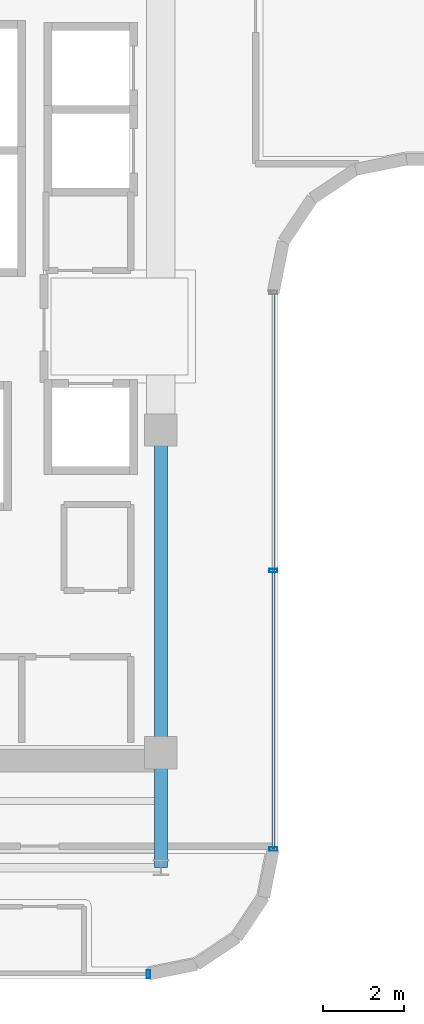
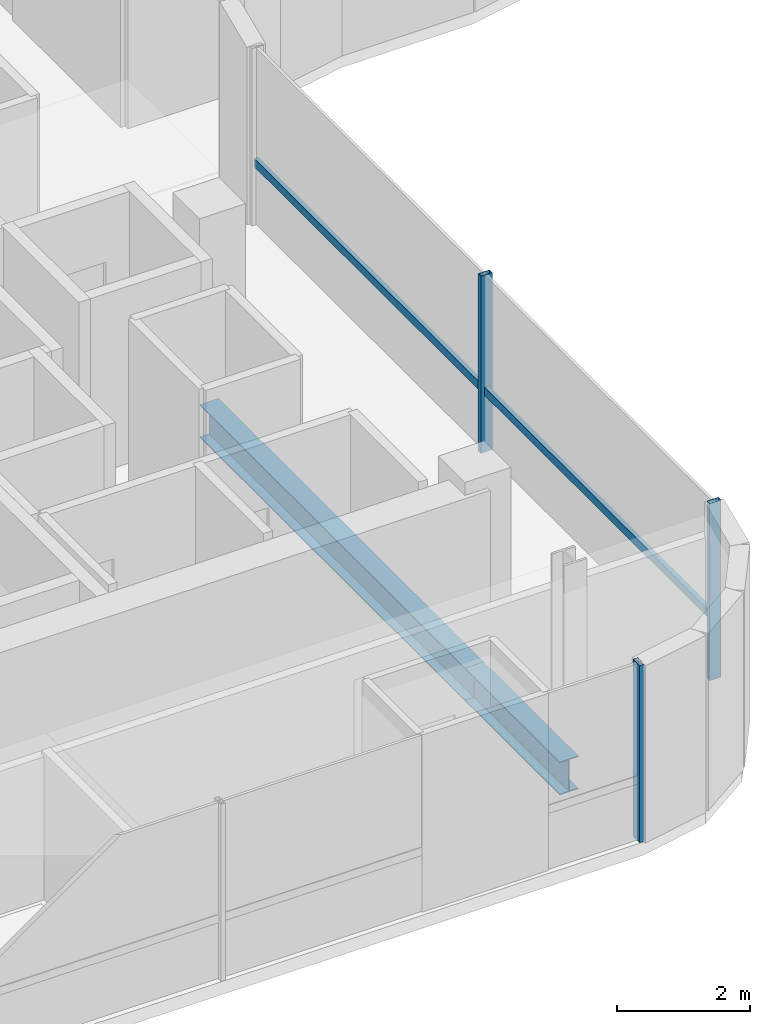
# One storey, part 6 of 21: 4 members, 2 beams, 2 elements without a shape of their own.
"""IFC4 building model written with IfcOpenShell, lengths in metres."""

import ifcopenshell
import ifcopenshell.guid

model = None  # the IFC model being written
_history = None  # IfcOwnerHistory: only IFC2X3 demands one
_inside = {}  # id of a spatial element -> (the spatial element, [elements in it])
_under = {}  # id of a project, library or spatial element -> (it, [spatial elements below it])
_declared = {}  # id of a project -> (the project, [libraries it declares])
_typed = {}  # id of a type object -> (the type object, [elements of that type])
_made_of = {}  # id of a material, layer set ... -> (it, [elements and type objects made of it])


def new_model(schema):
    """Start an empty IFC model of exactly this schema.

    Asked for "IFC4X3", IfcOpenShell would pick the latest addendum, in which some entities
    have other attributes; the version numbers below select the first issue.
    IFC2X3 requires an IfcOwnerHistory on every rooted entity: one is made here for all.
    """
    global model, _history
    if schema == "IFC4X3":
        model = ifcopenshell.file(schema_version=(4, 3, 0, 0))
    else:
        model = ifcopenshell.file(schema=schema)
    _inside.clear()
    _under.clear()
    _declared.clear()
    _typed.clear()
    _made_of.clear()
    _history = None
    if model.schema == "IFC2X3":
        org = make("IfcOrganization", Name="unknown")
        user = make(
            "IfcPersonAndOrganization",
            ThePerson=make("IfcPerson", FamilyName="unknown"),
            TheOrganization=org,
        )
        app = make(
            "IfcApplication",
            ApplicationDeveloper=org,
            Version="unknown",
            ApplicationFullName="unknown",
            ApplicationIdentifier="unknown",
        )
        _history = make(
            "IfcOwnerHistory",
            OwningUser=user,
            OwningApplication=app,
            ChangeAction="ADDED",
            CreationDate=0,
        )
    return model


def make(cls, **values):
    """One entity of the class cls with the attributes given. An attribute that is None is left unset."""
    return model.create_entity(
        cls, **{name: value for name, value in values.items() if value is not None}
    )


def rooted(cls, **values):
    """An entity with a GlobalId (a new one), such as an element, a storey or a relation."""
    return make(cls, GlobalId=ifcopenshell.guid.new(), OwnerHistory=_history, **values)


def si_unit(unit_type, name, prefix=None):
    """IfcSIUnit, for example si_unit("LENGTHUNIT", "METRE", prefix="MILLI")."""
    return make("IfcSIUnit", UnitType=unit_type, Prefix=prefix, Name=name)


def assignment(units):
    """IfcUnitAssignment: the units of a project."""
    return None if units is None else make("IfcUnitAssignment", Units=units)


def point(xyz):
    """IfcCartesianPoint."""
    return None if xyz is None else make("IfcCartesianPoint", Coordinates=xyz)


def direction(xyz):
    """IfcDirection."""
    return None if xyz is None else make("IfcDirection", DirectionRatios=xyz)


def frame(location, z_axis=None, x_axis=None):
    """IfcAxis2Placement3D, a coordinate frame: its origin and axes. An axis left out is left unset."""
    return make(
        "IfcAxis2Placement3D",
        Location=point(location),
        Axis=direction(z_axis),
        RefDirection=direction(x_axis),
    )


def frame_2d(location, x_axis=None):
    """IfcAxis2Placement2D, a coordinate frame in the plane: its origin and x axis."""
    return make(
        "IfcAxis2Placement2D", Location=point(location), RefDirection=direction(x_axis)
    )


def origin():
    """The frame at (0, 0, 0) with its axes left unset."""
    return frame((0.0, 0.0, 0.0))


def origin_2d():
    """The frame at (0, 0) in the plane with its x axis left unset."""
    return frame_2d((0.0, 0.0))


def place(relative_to, where):
    """IfcLocalPlacement: puts the frame where relative to a parent placement (None: the world)."""
    return make(
        "IfcLocalPlacement", PlacementRelTo=relative_to, RelativePlacement=where
    )


def context(
    kind, dimensions, precision=None, world=None, true_north=None, identifier=None
):
    """IfcGeometricRepresentationContext, for example the 3D "Model" context."""
    return make(
        "IfcGeometricRepresentationContext",
        ContextIdentifier=identifier,
        ContextType=kind,
        CoordinateSpaceDimension=dimensions,
        Precision=precision,
        WorldCoordinateSystem=world,
        TrueNorth=true_north,
    )


def subcontext(parent, identifier, kind, view, scale=None):
    """IfcGeometricRepresentationSubContext, for example "Body" below "Model"."""
    return make(
        "IfcGeometricRepresentationSubContext",
        ContextIdentifier=identifier,
        ContextType=kind,
        ParentContext=parent,
        TargetScale=scale,
        TargetView=view,
    )


def project(units=None, contexts=None):
    """IfcProject with its units and contexts."""
    return rooted(
        "IfcProject",
        Name="project",
        RepresentationContexts=contexts,
        UnitsInContext=assignment(units),
    )


def spatial(cls, under=None, at=None, **own):
    """A site, building, storey or space (cls), placed at a placement, below another one or the project."""
    s = rooted(cls, ObjectPlacement=at, **own)
    if under is not None:
        _under.setdefault(under.id(), (under, []))[1].append(s)
    return s


def profile(cls, at=None, kind="AREA", **sizes):
    """A parametric profile (cls). Its sizes go by their IFC names, for example OverallWidth=200.0."""
    return make(cls, ProfileType=kind, Position=at, **sizes)


def hollow_rectangle(**sizes):
    """IfcRectangleHollowProfileDef."""
    return profile("IfcRectangleHollowProfileDef", **sizes)


def i_section(**sizes):
    """IfcIShapeProfileDef."""
    return profile("IfcIShapeProfileDef", **sizes)


def extrude(swept, where, along, depth):
    """IfcExtrudedAreaSolid: the profile swept, set in the frame where, extruded along a direction by depth."""
    return make(
        "IfcExtrudedAreaSolid",
        SweptArea=swept,
        Position=where,
        ExtrudedDirection=direction(along),
        Depth=depth,
    )


def shape(context_of_items, identifier, shape_type, items):
    """IfcShapeRepresentation: the items that make up one representation, for example the "Body"."""
    return make(
        "IfcShapeRepresentation",
        ContextOfItems=context_of_items,
        RepresentationIdentifier=identifier,
        RepresentationType=shape_type,
        Items=items,
    )


def source(mapping_origin, context_of_items, identifier, shape_type, items):
    """IfcRepresentationMap: a shape defined once, which mapped items show again and again."""
    return make(
        "IfcRepresentationMap",
        MappingOrigin=mapping_origin,
        MappedRepresentation=shape(context_of_items, identifier, shape_type, items),
    )


def transform(
    local_origin,
    x_axis=None,
    y_axis=None,
    z_axis=None,
    scale=None,
    scale2=None,
    scale3=None,
    uniform=True,
):
    """IfcCartesianTransformationOperator3D, or its non-uniform kind. x_axis, y_axis, z_axis: its Axis1, 2, 3."""
    if uniform:
        return make(
            "IfcCartesianTransformationOperator3D",
            Axis1=direction(x_axis),
            Axis2=direction(y_axis),
            LocalOrigin=point(local_origin),
            Scale=scale,
            Axis3=direction(z_axis),
        )
    return make(
        "IfcCartesianTransformationOperator3DnonUniform",
        Axis1=direction(x_axis),
        Axis2=direction(y_axis),
        LocalOrigin=point(local_origin),
        Scale=scale,
        Axis3=direction(z_axis),
        Scale2=scale2,
        Scale3=scale3,
    )


def mapped(mapping_source, mapping_target):
    """IfcMappedItem: shows the shape of a source again, moved by a transform."""
    return make(
        "IfcMappedItem", MappingSource=mapping_source, MappingTarget=mapping_target
    )


def material(Name=None, Category=None):
    """IfcMaterial."""
    return make("IfcMaterial", Name=Name, Category=Category)


def material_profile(
    of_material, cross_section, Name=None, Category=None, Priority=None
):
    """IfcMaterialProfile: a cross section and its material."""
    return make(
        "IfcMaterialProfile",
        Name=Name,
        Material=of_material,
        Profile=cross_section,
        Priority=Priority,
        Category=Category,
    )


def profile_set(profiles, Name=None, composite=None):
    """IfcMaterialProfileSet."""
    return make(
        "IfcMaterialProfileSet",
        Name=Name,
        MaterialProfiles=profiles,
        CompositeProfile=composite,
    )


def made_of(thing, what):
    """Note that an element or type object is made of a material, layer set ...; save() writes the relation."""
    if what is not None:
        _made_of.setdefault(what.id(), (what, []))[1].append(thing)
    return thing


def type_object(cls, material=None, **own):
    """A type object (cls), such as IfcWallType, which elements share."""
    return made_of(rooted(cls, **own), material)


def element(
    cls,
    number,
    at=None,
    inside=None,
    cuts=None,
    type_object=None,
    material=None,
    context=None,
    identifier="Body",
    shape_type=None,
    held_by="IfcProductDefinitionShape",
    body=None,
    shapes=None,
    **own,
):
    """One element of the class cls, such as IfcWall. Its Tag is "e" and its number.

    at: its placement. inside: the storey or other place that contains it. cuts: it is an
    opening in that element (IfcRelVoidsElement). A single representation is given by context,
    identifier, shape_type and body (its items); several are given by shapes. held_by: the class
    of the entity that holds the representations. save() writes the other relations.
    """
    e = rooted(cls, Tag="e%d" % number, ObjectPlacement=at, **own)
    if body is not None:
        shapes = [shape(context, identifier, shape_type, body)]
    if shapes is not None:
        e.Representation = make(held_by, Representations=shapes)
    if inside is not None:
        _inside.setdefault(inside.id(), (inside, []))[1].append(e)
    if cuts is not None:
        rooted(
            "IfcRelVoidsElement", RelatingBuildingElement=cuts, RelatedOpeningElement=e
        )
    if type_object is not None:
        _typed.setdefault(type_object.id(), (type_object, []))[1].append(e)
    return made_of(e, material)


def aggregate(whole, parts):
    """IfcRelAggregates: a whole, such as a stair, and the parts it consists of."""
    return rooted("IfcRelAggregates", RelatingObject=whole, RelatedObjects=parts)


def save(model, path):
    """Write the relations noted so far, then the file.

    IfcRelAggregates (storeys below a building ...), IfcRelContainedInSpatialStructure (elements
    in a storey), IfcRelDefinesByType, IfcRelAssociatesMaterial and IfcRelDeclares: one each for
    every whole, place, type object, material and project.
    """
    for whole, parts in _under.values():
        aggregate(whole, parts)
    for where, things in _inside.values():
        rooted(
            "IfcRelContainedInSpatialStructure",
            RelatedElements=things,
            RelatingStructure=where,
        )
    for kind, things in _typed.values():
        rooted("IfcRelDefinesByType", RelatedObjects=things, RelatingType=kind)
    for what, things in _made_of.values():
        rooted("IfcRelAssociatesMaterial", RelatedObjects=things, RelatingMaterial=what)
    for by, libraries in _declared.values():
        rooted("IfcRelDeclares", RelatingContext=by, RelatedDefinitions=libraries)
    model.write(path)


model = new_model("IFC4")

# Units and contexts
model_context = context("Model", 3, precision=1e-05, world=origin(), true_north=direction((0.0, 1.0)))
body_context = subcontext(model_context, "Body", "Model", "MODEL_VIEW")
ifc_project = project(units=[si_unit("LENGTHUNIT", "METRE"), si_unit("AREAUNIT", "SQUARE_METRE"), si_unit("VOLUMEUNIT", "CUBIC_METRE"), si_unit("PLANEANGLEUNIT", "RADIAN"), si_unit("MASSUNIT", "GRAM", prefix="KILO")], contexts=[model_context])

# Site, building, storey
site_placement = place(None, origin())
site = spatial("IfcSite", under=ifc_project, at=site_placement, CompositionType="ELEMENT")
building_placement = place(site_placement, origin())
building = spatial("IfcBuilding", under=site, at=building_placement, Name="Valdorenza Pilgrim Sanctuary Tower", CompositionType="ELEMENT")
storey_placement = place(building_placement, frame((0.0, 0.0, 258.0)))
storey = spatial("IfcBuildingStorey", under=building, at=storey_placement, Name="L67", CompositionType="ELEMENT", Elevation=258.0)

# Beams
ifc_material_1 = material(Name="Steel ASTM A992 Grade 50", Category="steel")
ifc_material_profile_1 = material_profile(ifc_material_1, i_section(OverallWidth=0.323974609375, OverallDepth=0.611083984375, WebThickness=0.0126953125, FlangeThickness=0.01904296875, at=origin_2d()), Name="W24X104")
ifc_profile_set_1 = profile_set([ifc_material_profile_1], Name="Steel ASTM A992 Grade 50")
beam_type = type_object("IfcBeamType", Name="STR-BM-GRD-W24B", PredefinedType="BEAM", material=ifc_profile_set_1)
shared_shape_1 = source(origin(), body_context, "Body", "SweptSolid", [
    extrude(i_section(OverallWidth=0.323974609375, OverallDepth=0.611083984375, WebThickness=0.0126953125, FlangeThickness=0.01904296875, at=origin_2d()), origin(), (0.0, 0.0, 1.0), 8.0),
])
beam_1_placement = place(storey_placement, frame((-12.39990234375, -10.60009765625, -0.54541015625), z_axis=(0.0, 1.0, 0.0), x_axis=(-1.0, 0.0, 0.0)))
element("IfcBeam", 1, at=beam_1_placement, inside=storey, type_object=beam_type, Name="L67 Core Tie Girder CA-E-S1M0", PredefinedType="BEAM", context=body_context, shape_type="MappedRepresentation", body=[
    mapped(shared_shape_1, transform((0.0, 0.0, 0.0), x_axis=(1.0, 0.0, 0.0), y_axis=(0.0, 1.0, 0.0), z_axis=(0.0, 0.0, 1.0), scale=1.0)),
])
shared_shape_2 = source(origin(), body_context, "Body", "SweptSolid", [
    extrude(i_section(OverallWidth=0.323974609375, OverallDepth=0.611083984375, WebThickness=0.0126953125, FlangeThickness=0.01904296875, at=origin_2d()), origin(), (0.0, 0.0, 1.0), 2.849853515625),
])
beam_2_placement = place(storey_placement, frame((-12.39990234375, -13.449951171875, -0.54541015625), z_axis=(0.0, 1.0, 0.0), x_axis=(-1.0, 0.0, 0.0)))
element("IfcBeam", 2, at=beam_2_placement, inside=storey, type_object=beam_type, Name="L67 Floor Girder WA-S-LE", PredefinedType="BEAM", context=body_context, shape_type="MappedRepresentation", body=[
    mapped(shared_shape_2, transform((0.0, 0.0, 0.0), x_axis=(1.0, 0.0, 0.0), y_axis=(0.0, 1.0, 0.0), z_axis=(0.0, 0.0, 1.0), scale=1.0)),
])

# Curtain wall, members
ifc_material_2 = material(Name="Curtain-wall IGU glazing", Category="glass")
curtain_wall_type = type_object("IfcCurtainWallType", Name="CW-SYS-02", PredefinedType="NOTDEFINED", material=ifc_material_2)
curtain_wall_1_placement = place(storey_placement, origin())
curtain_wall_1 = element("IfcCurtainWall", 3, at=curtain_wall_1_placement, inside=storey, type_object=curtain_wall_type, Name="L67 Curtain Wall CW-L67-1-21", PredefinedType="NOTDEFINED")
ifc_material_3 = material(Name="Anodised aluminium AW-6060", Category="aluminium")
ifc_material_profile_2 = material_profile(ifc_material_3, hollow_rectangle(XDim=0.0849609375, YDim=0.199951171875, WallThickness=0.0048828125, at=origin_2d()), Name="ALU-M 200x85x5")
ifc_profile_set_2 = profile_set([ifc_material_profile_2], Name="Anodised aluminium AW-6060")
member_type_1 = type_object("IfcMemberType", Name="CW-MUL-02", PredefinedType="MULLION", material=ifc_profile_set_2)
shared_shape_3 = source(origin(), body_context, "Body", "SweptSolid", [
    extrude(hollow_rectangle(XDim=0.0849609375, YDim=0.199951171875, WallThickness=0.0048828125, at=origin_2d()), origin(), (0.0, 0.0, 1.0), 3.260009765625),
])
member_1_placement = place(storey_placement, frame((-9.610107421875, -6.089111328125, 0.0), z_axis=(0.0, 0.0, 1.0), x_axis=(0.0, -1.0, 0.0)))
member_1 = element("IfcMember", 4, at=member_1_placement, type_object=member_type_1, Name="CW-L67-1-21 Mullion 2", PredefinedType="MULLION", context=body_context, shape_type="MappedRepresentation", body=[
    mapped(shared_shape_3, transform((0.0, 0.0, 0.0), x_axis=(1.0, 0.0, 0.0), y_axis=(0.0, 1.0, 0.0), z_axis=(0.0, 0.0, 1.0), scale=1.0)),
])
member_2_placement = place(storey_placement, frame((-9.610107421875, -12.9892578125, 0.0), z_axis=(0.0, 0.0, 1.0), x_axis=(0.0, -1.0, 0.0)))
member_2 = element("IfcMember", 5, at=member_2_placement, type_object=member_type_1, Name="CW-L67-1-21 Mullion 3", PredefinedType="MULLION", context=body_context, shape_type="MappedRepresentation", body=[
    mapped(shared_shape_3, transform((0.0, 0.0, 0.0), x_axis=(1.0, 0.0, 0.0), y_axis=(0.0, 1.0, 0.0), z_axis=(0.0, 0.0, 1.0), scale=1.0)),
])

# Curtain wall, member
curtain_wall_2_placement = place(storey_placement, origin())
curtain_wall_2 = element("IfcCurtainWall", 6, at=curtain_wall_2_placement, inside=storey, type_object=curtain_wall_type, Name="L67 Curtain Wall CW-L67-1-26", PredefinedType="NOTDEFINED")
member_3_placement = place(storey_placement, frame((-12.710693359375, -16.090087890625, 0.0), z_axis=(0.0, 0.0, 1.0), x_axis=(-1.0, 0.0, 0.0)))
member_3 = element("IfcMember", 7, at=member_3_placement, type_object=member_type_1, Name="CW-L67-1-26 Mullion 1", PredefinedType="MULLION", context=body_context, shape_type="MappedRepresentation", body=[
    mapped(shared_shape_3, transform((0.0, 0.0, 0.0), x_axis=(1.0, 0.0, 0.0), y_axis=(0.0, 1.0, 0.0), z_axis=(0.0, 0.0, 1.0), scale=1.0)),
])
aggregate(curtain_wall_2, [member_3])

# Member
ifc_material_profile_3 = material_profile(ifc_material_3, hollow_rectangle(XDim=0.074951171875, YDim=0.14990234375, WallThickness=0.00390625, at=origin_2d()), Name="ALU-T 150x75x4")
ifc_profile_set_3 = profile_set([ifc_material_profile_3], Name="Anodised aluminium AW-6060")
member_type_2 = type_object("IfcMemberType", Name="CW-TRN-02", PredefinedType="USERDEFINED", material=ifc_profile_set_3)
shared_shape_4 = source(origin(), body_context, "Body", "SweptSolid", [
    extrude(hollow_rectangle(XDim=0.074951171875, YDim=0.14990234375, WallThickness=0.00390625, at=origin_2d()), origin(), (0.0, 0.0, 1.0), 13.800048828125),
])
member_4_placement = place(storey_placement, frame((-9.610107421875, 0.810791015625, 1.1201171875), z_axis=(0.0, -1.0, 0.0), x_axis=(1.0, 0.0, 0.0)))
member_4 = element("IfcMember", 8, at=member_4_placement, type_object=member_type_2, Name="CW-L67-1-21 Transom 1", ObjectType="TRANSOM", PredefinedType="USERDEFINED", context=body_context, shape_type="MappedRepresentation", body=[
    mapped(shared_shape_4, transform((0.0, 0.0, 0.0), x_axis=(1.0, 0.0, 0.0), y_axis=(0.0, 1.0, 0.0), z_axis=(0.0, 0.0, 1.0), scale=1.0)),
])

aggregate(curtain_wall_1, [member_1, member_2, member_4])

save(model, "model.ifc")
